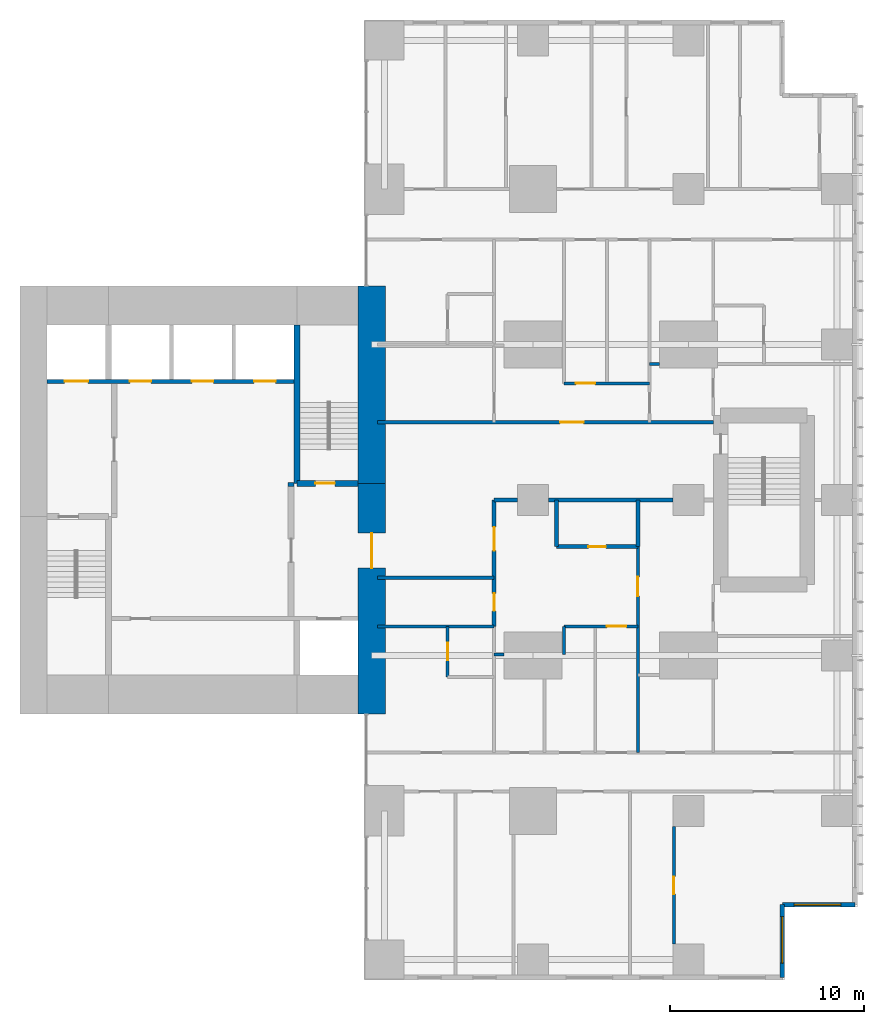
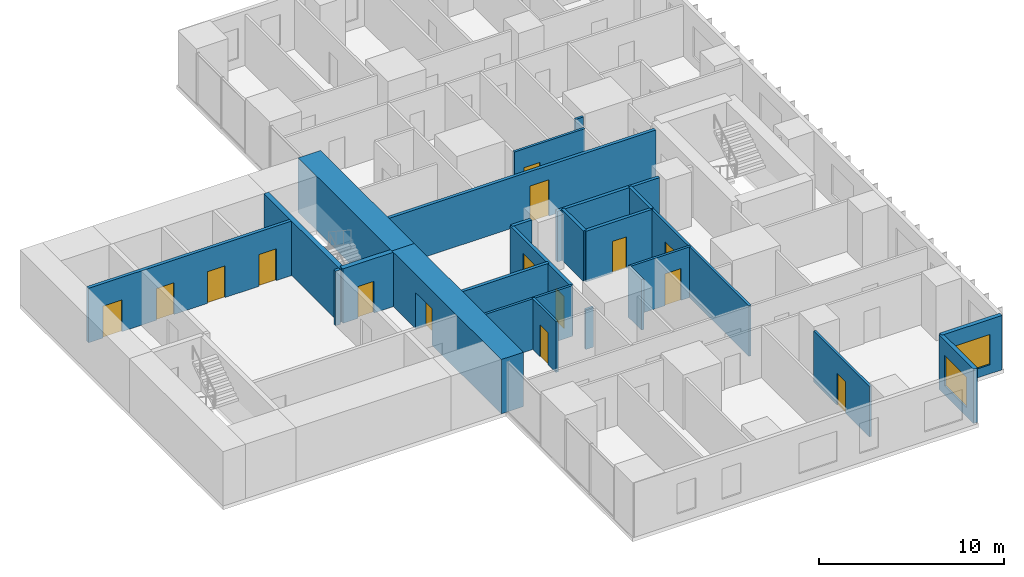
# One storey, part 8 of 12: 25 walls, 15 doors, 2 windows, 17 openings.
"""IFC4 building model written with IfcOpenShell, lengths in metres."""

from ifc_helpers import new_model, si_unit, direction, frame, frame_2d, origin, place, context, subcontext, project, spatial, rectangle, extrude, material, layer, layer_set, type_object, element, fill, save


model = new_model("IFC4")

# Units and contexts
model_context = context("Model", 3, precision=1e-05, world=origin(), true_north=direction((0.0, 1.0)))
body_context = subcontext(model_context, "Body", "Model", "MODEL_VIEW")
ifc_project = project(units=[si_unit("LENGTHUNIT", "METRE"), si_unit("AREAUNIT", "SQUARE_METRE"), si_unit("VOLUMEUNIT", "CUBIC_METRE"), si_unit("PLANEANGLEUNIT", "RADIAN"), si_unit("MASSUNIT", "GRAM", prefix="KILO")], contexts=[model_context])

# Site, building, storey
site_placement = place(None, origin())
site = spatial("IfcSite", under=ifc_project, at=site_placement, CompositionType="ELEMENT")
building_placement = place(site_placement, origin())
building = spatial("IfcBuilding", under=site, at=building_placement, Name="Cleftline Residences", CompositionType="ELEMENT")
storey_placement = place(building_placement, frame((0.0, 0.0, 234.0)))
storey = spatial("IfcBuildingStorey", under=building, at=storey_placement, Name="L61", CompositionType="ELEMENT", Elevation=234.0)

# Wall, opening, door
ifc_material_1 = material(Name="Concrete B70", Category="concrete")
ifc_layer_1 = layer(ifc_material_1, 1.39990234375)
ifc_layer_set_1 = layer_set([ifc_layer_1], Name="CORE WALL 1400")
wall_type_1 = type_object("IfcWallType", Name="CORE WALL 1400", PredefinedType="SHEAR", material=ifc_layer_set_1)
wall_1_placement = place(storey_placement, frame((41.699951171875, 13.0, 0.0), z_axis=(0.0, 0.0, 1.0), x_axis=(0.0, 1.0, 0.0)))
wall_1 = element("IfcWall", 1, at=wall_1_placement, inside=storey, type_object=wall_type_1, Name="Core wall E", PredefinedType="SHEAR", context=body_context, shape_type="SweptSolid", body=[
    extrude(rectangle(XDim=11.85009765625, YDim=1.39990234375, at=frame_2d((5.925048828125, 0.0))), origin(), (0.0, 0.0, 1.0), 3.60009765625),
])
opening_1_placement = place(wall_1_placement, frame((7.5, 0.0, 0.0)))
opening_1 = element("IfcOpeningElement", 2, at=opening_1_placement, cuts=wall_1, Name="Opening D7", PredefinedType="OPENING", context=body_context, shape_type="SweptSolid", body=[
    extrude(rectangle(XDim=1.800048828125, YDim=2.39990234375, at=frame_2d((0.89990234375, 1.199951171875))), frame((0.0, 0.7099609375, 0.0), z_axis=(0.0, -1.0, 0.0), x_axis=(1.0, 0.0, 0.0)), (0.0, 0.0, 1.0), 1.419921875),
])
ifc_material_2 = material(Name="Steel", Category="steel")
door_type_1 = type_object("IfcDoorType", Name="WING DOOR 1800X2400", OperationType="DOUBLE_DOOR_DOUBLE_SWING", PredefinedType="DOOR", material=ifc_material_2)
door_1_placement = place(opening_1_placement, origin())
door_1 = element("IfcDoor", 3, at=door_1_placement, inside=storey, type_object=door_type_1, Name="East wing door", OperationType="DOUBLE_DOOR_DOUBLE_SWING", OverallHeight=2.39990234375, OverallWidth=1.800048828125, PredefinedType="DOOR", context=body_context, shape_type="SweptSolid", body=[
    extrude(rectangle(XDim=1.800048828125, YDim=2.39990234375, at=frame_2d((0.89990234375, 1.199951171875))), frame((0.0, 0.02490234375, 0.0), z_axis=(0.0, -1.0, 0.0), x_axis=(1.0, 0.0, 0.0)), (0.0, 0.0, 1.0), 0.050048828125),
])
fill(opening_1, door_1)

# Walls
wall_2_placement = place(storey_placement, frame((41.699951171875, 24.85009765625, 0.0), z_axis=(0.0, 0.0, 1.0), x_axis=(0.0, 1.0, 0.0)))
element("IfcWall", 4, at=wall_2_placement, inside=storey, type_object=wall_type_1, Name="Core wall E1", PredefinedType="SHEAR", context=body_context, shape_type="SweptSolid", body=[
    extrude(rectangle(XDim=10.14990234375, YDim=1.39990234375, at=frame_2d((5.074951171875, 0.0))), origin(), (0.0, 0.0, 1.0), 3.60009765625),
])
ifc_material_3 = material(Name="Concrete B70", Category="concrete")
ifc_layer_2 = layer(ifc_material_3, 0.300048828125)
ifc_layer_set_2 = layer_set([ifc_layer_2], Name="CORE WALL 300")
wall_type_2 = type_object("IfcWallType", Name="CORE WALL 300", PredefinedType="SHEAR", material=ifc_layer_set_2)
wall_3_placement = place(storey_placement, frame((37.85009765625, 24.85009765625, 0.0), z_axis=(0.0, 0.0, 1.0), x_axis=(0.0, 1.0, 0.0)))
element("IfcWall", 5, at=wall_3_placement, inside=storey, type_object=wall_type_2, Name="Core wall SB-W", PredefinedType="SHEAR", context=body_context, shape_type="SweptSolid", body=[
    extrude(rectangle(XDim=8.14990234375, YDim=0.300048828125, at=frame_2d((4.074951171875, 0.0))), origin(), (0.0, 0.0, 1.0), 3.60009765625),
])

# Wall, opening, door
wall_4_placement = place(storey_placement, frame((37.85009765625, 24.85009765625, 0.0), z_axis=(0.0, 0.0, 1.0), x_axis=(1.0, 0.0, 0.0)))
wall_4 = element("IfcWall", 6, at=wall_4_placement, inside=storey, type_object=wall_type_2, Name="Core wall SB-S", PredefinedType="SHEAR", context=body_context, shape_type="SweptSolid", body=[
    extrude(rectangle(XDim=3.14990234375, YDim=0.300048828125, at=frame_2d((1.574951171875, 0.0))), origin(), (0.0, 0.0, 1.0), 3.60009765625),
])
opening_2_placement = place(wall_4_placement, frame((0.949951171875, 0.0, 0.0)))
opening_2 = element("IfcOpeningElement", 7, at=opening_2_placement, cuts=wall_4, Name="Opening D5", PredefinedType="OPENING", context=body_context, shape_type="SweptSolid", body=[
    extrude(rectangle(XDim=1.0, YDim=2.10009765625, at=frame_2d((0.5, 1.050048828125))), frame((0.0, 0.159912109375, 0.0), z_axis=(0.0, -1.0, 0.0), x_axis=(1.0, 0.0, 0.0)), (0.0, 0.0, 1.0), 0.320068359375),
])
ifc_material_4 = material(Name="Steel", Category="steel")
door_type_2 = type_object("IfcDoorType", Name="STAIR DOOR 1000X2100", OperationType="SINGLE_SWING_LEFT", PredefinedType="DOOR", material=ifc_material_4)
door_2_placement = place(opening_2_placement, origin())
door_2 = element("IfcDoor", 8, at=door_2_placement, inside=storey, type_object=door_type_2, Name="Stair B door", OperationType="SINGLE_SWING_RIGHT", OverallHeight=2.10009765625, OverallWidth=1.0, PredefinedType="DOOR", context=body_context, shape_type="SweptSolid", body=[
    extrude(rectangle(XDim=1.0, YDim=2.10009765625, at=frame_2d((0.5, 1.050048828125))), frame((0.0, 0.02490234375, 0.0), z_axis=(0.0, -1.0, 0.0), x_axis=(1.0, 0.0, 0.0)), (0.0, 0.0, 1.0), 0.050048828125),
])
fill(opening_2, door_2)

# Wall, opening, window
ifc_material_5 = material(Name="Rendered reinforced concrete blockwork", Category="masonry")
ifc_layer_3 = layer(ifc_material_5, 0.25)
ifc_layer_set_3 = layer_set([ifc_layer_3], Name="EXTERNAL WALL 250")
wall_type_3 = type_object("IfcWallType", Name="EXTERNAL WALL 250", PredefinedType="SOLIDWALL", material=ifc_layer_set_3)
wall_5_placement = place(storey_placement, frame((62.824951171875, -0.574951171875, 0.0), z_axis=(0.0, 0.0, 1.0), x_axis=(0.0, 1.0, 0.0)))
wall_5 = element("IfcWall", 9, at=wall_5_placement, inside=storey, type_object=wall_type_3, Name="External wall", PredefinedType="SOLIDWALL", context=body_context, shape_type="SweptSolid", body=[
    extrude(rectangle(XDim=3.75, YDim=0.25, at=frame_2d((1.875, 0.0))), origin(), (0.0, 0.0, 1.0), 3.60009765625),
])
opening_3_placement = place(wall_5_placement, frame((0.737548828125, 0.0, 0.60009765625)))
opening_3 = element("IfcOpeningElement", 10, at=opening_3_placement, cuts=wall_5, Name="Opening W6", PredefinedType="OPENING", context=body_context, shape_type="SweptSolid", body=[
    extrude(rectangle(XDim=2.39990234375, YDim=2.0, at=frame_2d((1.199951171875, 1.0))), frame((0.0, 0.135009765625, 0.0), z_axis=(0.0, -1.0, 0.0), x_axis=(1.0, 0.0, 0.0)), (0.0, 0.0, 1.0), 0.27001953125),
])
ifc_material_6 = material(Name="Aluminium frame, clear double glazing", Category="aluminium")
window_type = type_object("IfcWindowType", Name="WINDOW 2400X2000", PartitioningType="DOUBLE_PANEL_VERTICAL", PredefinedType="WINDOW", material=ifc_material_6)
window_1_placement = place(opening_3_placement, origin())
window_1 = element("IfcWindow", 11, at=window_1_placement, inside=storey, type_object=window_type, Name="Window", OverallHeight=2.0, OverallWidth=2.39990234375, PartitioningType="SINGLE_PANEL", PredefinedType="WINDOW", context=body_context, shape_type="SweptSolid", body=[
    extrude(rectangle(XDim=2.39990234375, YDim=2.0, at=frame_2d((1.199951171875, 1.0))), frame((0.0, 0.030029296875, 0.0), z_axis=(0.0, -1.0, 0.0), x_axis=(1.0, 0.0, 0.0)), (0.0, 0.0, 1.0), 0.06005859375),
])
fill(opening_3, window_1)

wall_6_placement = place(storey_placement, frame((62.824951171875, 3.175048828125, 0.0), z_axis=(0.0, 0.0, 1.0), x_axis=(1.0, 0.0, 0.0)))
wall_6 = element("IfcWall", 12, at=wall_6_placement, inside=storey, type_object=wall_type_3, Name="External wall", PredefinedType="SOLIDWALL", context=body_context, shape_type="SweptSolid", body=[
    extrude(rectangle(XDim=3.75, YDim=0.25, at=frame_2d((1.875, 0.0))), origin(), (0.0, 0.0, 1.0), 3.60009765625),
])
opening_4_placement = place(wall_6_placement, frame((0.612548828125, 0.0, 0.60009765625)))
opening_4 = element("IfcOpeningElement", 13, at=opening_4_placement, cuts=wall_6, Name="Opening W6", PredefinedType="OPENING", context=body_context, shape_type="SweptSolid", body=[
    extrude(rectangle(XDim=2.39990234375, YDim=2.0, at=frame_2d((1.199951171875, 1.0))), frame((0.0, 0.135009765625, 0.0), z_axis=(0.0, -1.0, 0.0), x_axis=(1.0, 0.0, 0.0)), (0.0, 0.0, 1.0), 0.27001953125),
])
window_2_placement = place(opening_4_placement, origin())
window_2 = element("IfcWindow", 14, at=window_2_placement, inside=storey, type_object=window_type, Name="Window", OverallHeight=2.0, OverallWidth=2.39990234375, PartitioningType="SINGLE_PANEL", PredefinedType="WINDOW", context=body_context, shape_type="SweptSolid", body=[
    extrude(rectangle(XDim=2.39990234375, YDim=2.0, at=frame_2d((1.199951171875, 1.0))), frame((0.0, 0.030029296875, 0.0), z_axis=(0.0, -1.0, 0.0), x_axis=(1.0, 0.0, 0.0)), (0.0, 0.0, 1.0), 0.06005859375),
])
fill(opening_4, window_2)

# Wall
ifc_material_7 = material(Name="Concrete blockwork, fire rated", Category="masonry")
ifc_layer_4 = layer(ifc_material_7, 0.199951171875)
ifc_layer_set_4 = layer_set([ifc_layer_4], Name="FIRE WALL 200")
wall_type_4 = type_object("IfcWallType", Name="FIRE WALL 200", PredefinedType="PARTITIONING", material=ifc_layer_set_4)
wall_7_placement = place(storey_placement, frame((42.0, 20.0, 0.0), z_axis=(0.0, 0.0, 1.0), x_axis=(1.0, 0.0, 0.0)))
element("IfcWall", 15, at=wall_7_placement, inside=storey, type_object=wall_type_4, Name="Fire separating wall", PredefinedType="PARTITIONING", context=body_context, shape_type="SweptSolid", body=[
    extrude(rectangle(XDim=6.0, YDim=0.199951171875, at=frame_2d((3.0, 0.0))), origin(), (0.0, 0.0, 1.0), 3.35009765625),
])

# Wall, opening, door
wall_8_placement = place(storey_placement, frame((51.199951171875, 21.60009765625, 0.0), z_axis=(0.0, 0.0, 1.0), x_axis=(1.0, 0.0, 0.0)))
wall_8 = element("IfcWall", 16, at=wall_8_placement, inside=storey, type_object=wall_type_4, Name="Fire separating wall", PredefinedType="PARTITIONING", context=body_context, shape_type="SweptSolid", body=[
    extrude(rectangle(XDim=4.199951171875, YDim=0.199951171875, at=frame_2d((2.10009765625, 0.0))), origin(), (0.0, 0.0, 1.0), 3.35009765625),
])
opening_5_placement = place(wall_8_placement, frame((1.64990234375, 0.0, 0.0)))
opening_5 = element("IfcOpeningElement", 17, at=opening_5_placement, cuts=wall_8, Name="Opening D1F30", PredefinedType="OPENING", context=body_context, shape_type="SweptSolid", body=[
    extrude(rectangle(XDim=0.89990234375, YDim=2.10009765625, at=frame_2d((0.449951171875, 1.050048828125))), frame((0.0, 0.10986328125, 0.0), z_axis=(0.0, -1.0, 0.0), x_axis=(1.0, 0.0, 0.0)), (0.0, 0.0, 1.0), 0.219970703125),
])
ifc_material_8 = material(Name="Timber veneer on solid core", Category="wood")
door_type_3 = type_object("IfcDoorType", Name="DOOR 900X2100 EI 30", OperationType="SINGLE_SWING_LEFT", PredefinedType="DOOR", material=ifc_material_8)
door_3_placement = place(opening_5_placement, origin())
door_3 = element("IfcDoor", 18, at=door_3_placement, inside=storey, type_object=door_type_3, Name="Door to cloakroom wc", OperationType="SINGLE_SWING_LEFT", OverallHeight=2.10009765625, OverallWidth=0.89990234375, PredefinedType="DOOR", context=body_context, shape_type="SweptSolid", body=[
    extrude(rectangle(XDim=0.89990234375, YDim=2.10009765625, at=frame_2d((0.449951171875, 1.050048828125))), frame((0.0, 0.02490234375, 0.0), z_axis=(0.0, -1.0, 0.0), x_axis=(1.0, 0.0, 0.0)), (0.0, 0.0, 1.0), 0.050048828125),
])
fill(opening_5, door_3)

# Walls
wall_9_placement = place(storey_placement, frame((48.0, 24.0, 0.0), z_axis=(0.0, 0.0, 1.0), x_axis=(1.0, 0.0, 0.0)))
element("IfcWall", 19, at=wall_9_placement, inside=storey, type_object=wall_type_4, Name="Fire separating wall", PredefinedType="PARTITIONING", context=body_context, shape_type="SweptSolid", body=[
    extrude(rectangle(XDim=1.199951171875, YDim=0.199951171875, at=frame_2d((0.60009765625, 0.0))), origin(), (0.0, 0.0, 1.0), 3.35009765625),
])
wall_10_placement = place(storey_placement, frame((50.800048828125, 24.0, 0.0), z_axis=(0.0, 0.0, 1.0), x_axis=(1.0, 0.0, 0.0)))
element("IfcWall", 20, at=wall_10_placement, inside=storey, type_object=wall_type_4, Name="Fire separating wall", PredefinedType="PARTITIONING", context=body_context, shape_type="SweptSolid", body=[
    extrude(rectangle(XDim=6.39990234375, YDim=0.199951171875, at=frame_2d((3.199951171875, 0.0))), origin(), (0.0, 0.0, 1.0), 3.35009765625),
])

# Wall, opening, door
wall_11_placement = place(storey_placement, frame((42.0, 28.0, 0.0), z_axis=(0.0, 0.0, 1.0), x_axis=(1.0, 0.0, 0.0)))
wall_11 = element("IfcWall", 21, at=wall_11_placement, inside=storey, type_object=wall_type_4, Name="Fire separating wall", PredefinedType="PARTITIONING", context=body_context, shape_type="SweptSolid", body=[
    extrude(rectangle(XDim=17.27490234375, YDim=0.199951171875, at=frame_2d((8.637451171875, 0.0))), origin(), (0.0, 0.0, 1.0), 3.35009765625),
])
opening_6_placement = place(wall_11_placement, frame((9.39990234375, 0.0, 0.0)))
opening_6 = element("IfcOpeningElement", 22, at=opening_6_placement, cuts=wall_11, Name="Opening D4", PredefinedType="OPENING", context=body_context, shape_type="SweptSolid", body=[
    extrude(rectangle(XDim=1.199951171875, YDim=2.39990234375, at=frame_2d((0.60009765625, 1.199951171875))), frame((0.0, 0.10986328125, 0.0), z_axis=(0.0, -1.0, 0.0), x_axis=(1.0, 0.0, 0.0)), (0.0, 0.0, 1.0), 0.219970703125),
])
ifc_material_9 = material(Name="Timber veneer on solid core", Category="wood")
door_type_4 = type_object("IfcDoorType", Name="APARTMENT ENTRANCE DOOR 1200X2400", OperationType="SINGLE_SWING_RIGHT", PredefinedType="DOOR", material=ifc_material_9)
door_4_placement = place(opening_6_placement, origin())
door_4 = element("IfcDoor", 23, at=door_4_placement, inside=storey, type_object=door_type_4, Name="Door to residence entrance (gallery)", OperationType="SINGLE_SWING_LEFT", OverallHeight=2.39990234375, OverallWidth=1.199951171875, PredefinedType="DOOR", context=body_context, shape_type="SweptSolid", body=[
    extrude(rectangle(XDim=1.199951171875, YDim=2.39990234375, at=frame_2d((0.60009765625, 1.199951171875))), frame((0.0, 0.02490234375, 0.0), z_axis=(0.0, -1.0, 0.0), x_axis=(1.0, 0.0, 0.0)), (0.0, 0.0, 1.0), 0.050048828125),
])
fill(opening_6, door_4)

# Wall, openings, doors
wall_12_placement = place(storey_placement, frame((48.0, 17.5, 0.0), z_axis=(0.0, 0.0, 1.0), x_axis=(0.0, 1.0, 0.0)))
wall_12 = element("IfcWall", 24, at=wall_12_placement, inside=storey, type_object=wall_type_4, Name="Fire separating wall", PredefinedType="PARTITIONING", context=body_context, shape_type="SweptSolid", body=[
    extrude(rectangle(XDim=6.5, YDim=0.199951171875, at=frame_2d((3.25, 0.0))), origin(), (0.0, 0.0, 1.0), 3.35009765625),
])
opening_7_placement = place(wall_12_placement, frame((3.89990234375, 0.0, 0.0)))
opening_7 = element("IfcOpeningElement", 25, at=opening_7_placement, cuts=wall_12, Name="Opening D4", PredefinedType="OPENING", context=body_context, shape_type="SweptSolid", body=[
    extrude(rectangle(XDim=1.199951171875, YDim=2.39990234375, at=frame_2d((0.60009765625, 1.199951171875))), frame((0.0, 0.10986328125, 0.0), z_axis=(0.0, -1.0, 0.0), x_axis=(1.0, 0.0, 0.0)), (0.0, 0.0, 1.0), 0.219970703125),
])
opening_8_placement = place(wall_12_placement, frame((0.800048828125, 0.0, 0.0)))
opening_8 = element("IfcOpeningElement", 26, at=opening_8_placement, cuts=wall_12, Name="Opening D1F30", PredefinedType="OPENING", context=body_context, shape_type="SweptSolid", body=[
    extrude(rectangle(XDim=0.89990234375, YDim=2.10009765625, at=frame_2d((0.449951171875, 1.050048828125))), frame((0.0, 0.10986328125, 0.0), z_axis=(0.0, -1.0, 0.0), x_axis=(1.0, 0.0, 0.0)), (0.0, 0.0, 1.0), 0.219970703125),
])
door_5_placement = place(opening_7_placement, origin())
door_5 = element("IfcDoor", 27, at=door_5_placement, inside=storey, type_object=door_type_4, Name="Door to residence entrance foyer", OperationType="SINGLE_SWING_LEFT", OverallHeight=2.39990234375, OverallWidth=1.199951171875, PredefinedType="DOOR", context=body_context, shape_type="SweptSolid", body=[
    extrude(rectangle(XDim=1.199951171875, YDim=2.39990234375, at=frame_2d((0.60009765625, 1.199951171875))), frame((0.0, 0.02490234375, 0.0), z_axis=(0.0, -1.0, 0.0), x_axis=(1.0, 0.0, 0.0)), (0.0, 0.0, 1.0), 0.050048828125),
])
fill(opening_7, door_5)
door_6_placement = place(opening_8_placement, origin())
door_6 = element("IfcDoor", 28, at=door_6_placement, inside=storey, type_object=door_type_3, Name="Door to utility room", OperationType="SINGLE_SWING_RIGHT", OverallHeight=2.10009765625, OverallWidth=0.89990234375, PredefinedType="DOOR", context=body_context, shape_type="SweptSolid", body=[
    extrude(rectangle(XDim=0.89990234375, YDim=2.10009765625, at=frame_2d((0.449951171875, 1.050048828125))), frame((0.0, 0.02490234375, 0.0), z_axis=(0.0, -1.0, 0.0), x_axis=(1.0, 0.0, 0.0)), (0.0, 0.0, 1.0), 0.050048828125),
])
fill(opening_8, door_6)

# Walls
for number, where, z_axis, x_axis, name in (
    (29, (51.199951171875, 21.60009765625, 0.0), (0.0, 0.0, 1.0), (0.0, 1.0, 0.0), "Fire separating wall"),
    (30, (55.39990234375, 21.60009765625, 0.0), (0.0, 0.0, 1.0), (0.0, 1.0, 0.0), "Fire separating wall"),
):
    element("IfcWall", number, at=place(storey_placement, frame(where, z_axis=z_axis, x_axis=x_axis)), inside=storey, type_object=wall_type_4, Name=name, PredefinedType="PARTITIONING", context=body_context, shape_type="SweptSolid", body=[
        extrude(rectangle(XDim=2.39990234375, YDim=0.199951171875, at=frame_2d((1.199951171875, 0.0))), origin(), (0.0, 0.0, 1.0), 3.35009765625),
    ])
wall_13_placement = place(storey_placement, frame((37.39990234375, 24.800048828125, 0.0), z_axis=(0.0, 0.0, 1.0), x_axis=(1.0, 0.0, 0.0)))
element("IfcWall", 31, at=wall_13_placement, inside=storey, type_object=wall_type_4, Name="Fire separating wall", PredefinedType="PARTITIONING", context=body_context, shape_type="SweptSolid", body=[
    extrude(rectangle(XDim=0.300048828125, YDim=0.199951171875, at=frame_2d((0.14990234375, 0.0))), origin(), (0.0, 0.0, 1.0), 3.60009765625),
])
ifc_material_10 = material(Name="Gypsum board on steel studs", Category="steel")
ifc_layer_5 = layer(ifc_material_10, 0.14990234375)
ifc_layer_set_5 = layer_set([ifc_layer_5], Name="PARTITION 150")
wall_type_5 = type_object("IfcWallType", Name="PARTITION 150", PredefinedType="PARTITIONING", material=ifc_layer_set_5)
wall_14_placement = place(storey_placement, frame((48.0, 16.050048828125, 0.0), z_axis=(0.0, 0.0, 1.0), x_axis=(1.0, 0.0, 0.0)))
element("IfcWall", 32, at=wall_14_placement, inside=storey, type_object=wall_type_5, Name="Partition", PredefinedType="PARTITIONING", context=body_context, shape_type="SweptSolid", body=[
    extrude(rectangle(XDim=0.5, YDim=0.14990234375, at=frame_2d((0.25, 0.0))), origin(), (0.0, 0.0, 1.0), 2.634033203125),
])
wall_15_placement = place(storey_placement, frame((42.0, 17.5, 0.0), z_axis=(0.0, 0.0, 1.0), x_axis=(1.0, 0.0, 0.0)))
element("IfcWall", 33, at=wall_15_placement, inside=storey, type_object=wall_type_5, Name="Partition", PredefinedType="PARTITIONING", context=body_context, shape_type="SweptSolid", body=[
    extrude(rectangle(XDim=6.0, YDim=0.14990234375, at=frame_2d((3.0, 0.0))), origin(), (0.0, 0.0, 1.0), 3.35009765625),
])

# Wall, opening, door
wall_16_placement = place(storey_placement, frame((51.60009765625, 17.5, 0.0), z_axis=(0.0, 0.0, 1.0), x_axis=(1.0, 0.0, 0.0)))
wall_16 = element("IfcWall", 34, at=wall_16_placement, inside=storey, type_object=wall_type_5, Name="Partition", PredefinedType="PARTITIONING", context=body_context, shape_type="SweptSolid", body=[
    extrude(rectangle(XDim=3.7998046875, YDim=0.14990234375, at=frame_2d((1.89990234375, 0.0))), origin(), (0.0, 0.0, 1.0), 3.35009765625),
])
opening_9_placement = place(wall_16_placement, frame((2.199951171875, 0.0, 0.0)))
opening_9 = element("IfcOpeningElement", 35, at=opening_9_placement, cuts=wall_16, Name="Opening D2", PredefinedType="OPENING", context=body_context, shape_type="SweptSolid", body=[
    extrude(rectangle(XDim=1.0, YDim=2.10009765625, at=frame_2d((0.5, 1.050048828125))), frame((0.0, 0.0849609375, 0.0), z_axis=(0.0, -1.0, 0.0), x_axis=(1.0, 0.0, 0.0)), (0.0, 0.0, 1.0), 0.169921875),
])
ifc_material_11 = material(Name="Timber veneer on solid core", Category="wood")
door_type_5 = type_object("IfcDoorType", Name="DOOR 1000X2100", OperationType="SINGLE_SWING_LEFT", PredefinedType="DOOR", material=ifc_material_11)
door_7_placement = place(opening_9_placement, origin())
door_7 = element("IfcDoor", 36, at=door_7_placement, inside=storey, type_object=door_type_5, Name="Door to residence passage", OperationType="SINGLE_SWING_LEFT", OverallHeight=2.10009765625, OverallWidth=1.0, PredefinedType="DOOR", context=body_context, shape_type="SweptSolid", body=[
    extrude(rectangle(XDim=1.0, YDim=2.10009765625, at=frame_2d((0.5, 1.050048828125))), frame((0.0, 0.02490234375, 0.0), z_axis=(0.0, -1.0, 0.0), x_axis=(1.0, 0.0, 0.0)), (0.0, 0.0, 1.0), 0.050048828125),
])
fill(opening_9, door_7)

wall_17_placement = place(storey_placement, frame((51.60009765625, 30.0, 0.0), z_axis=(0.0, 0.0, 1.0), x_axis=(1.0, 0.0, 0.0)))
wall_17 = element("IfcWall", 37, at=wall_17_placement, inside=storey, type_object=wall_type_5, Name="Partition", PredefinedType="PARTITIONING", context=body_context, shape_type="SweptSolid", body=[
    extrude(rectangle(XDim=4.39990234375, YDim=0.14990234375, at=frame_2d((2.199951171875, 0.0))), origin(), (0.0, 0.0, 1.0), 3.35009765625),
])
opening_10_placement = place(wall_17_placement, frame((0.60009765625, 0.0, 0.0)))
opening_10 = element("IfcOpeningElement", 38, at=opening_10_placement, cuts=wall_17, Name="Opening D2", PredefinedType="OPENING", context=body_context, shape_type="SweptSolid", body=[
    extrude(rectangle(XDim=1.0, YDim=2.10009765625, at=frame_2d((0.5, 1.050048828125))), frame((0.0, 0.0849609375, 0.0), z_axis=(0.0, -1.0, 0.0), x_axis=(1.0, 0.0, 0.0)), (0.0, 0.0, 1.0), 0.169921875),
])
door_8_placement = place(opening_10_placement, origin())
door_8 = element("IfcDoor", 39, at=door_8_placement, inside=storey, type_object=door_type_5, Name="Door to residence passage", OperationType="SINGLE_SWING_RIGHT", OverallHeight=2.10009765625, OverallWidth=1.0, PredefinedType="DOOR", context=body_context, shape_type="SweptSolid", body=[
    extrude(rectangle(XDim=1.0, YDim=2.10009765625, at=frame_2d((0.5, 1.050048828125))), frame((0.0, 0.02490234375, 0.0), z_axis=(0.0, -1.0, 0.0), x_axis=(1.0, 0.0, 0.0)), (0.0, 0.0, 1.0), 0.050048828125),
])
fill(opening_10, door_8)

# Wall
wall_18_placement = place(storey_placement, frame((56.0, 31.0, 0.0), z_axis=(0.0, 0.0, 1.0), x_axis=(1.0, 0.0, 0.0)))
element("IfcWall", 40, at=wall_18_placement, inside=storey, type_object=wall_type_5, Name="Partition", PredefinedType="PARTITIONING", context=body_context, shape_type="SweptSolid", body=[
    extrude(rectangle(XDim=0.5, YDim=0.14990234375, at=frame_2d((0.25, 0.0))), origin(), (0.0, 0.0, 1.0), 3.35009765625),
])

# Wall, opening, door
wall_19_placement = place(storey_placement, frame((45.60009765625, 14.89990234375, 0.0), z_axis=(0.0, 0.0, 1.0), x_axis=(0.0, 1.0, 0.0)))
wall_19 = element("IfcWall", 41, at=wall_19_placement, inside=storey, type_object=wall_type_5, Name="Partition", PredefinedType="PARTITIONING", context=body_context, shape_type="SweptSolid", body=[
    extrude(rectangle(XDim=2.60009765625, YDim=0.14990234375, at=frame_2d((1.300048828125, 0.0))), origin(), (0.0, 0.0, 1.0), 3.35009765625),
])
opening_11_placement = place(wall_19_placement, frame((0.85009765625, 0.0, 0.0)))
opening_11 = element("IfcOpeningElement", 42, at=opening_11_placement, cuts=wall_19, Name="Opening D1", PredefinedType="OPENING", context=body_context, shape_type="SweptSolid", body=[
    extrude(rectangle(XDim=0.89990234375, YDim=2.10009765625, at=frame_2d((0.449951171875, 1.050048828125))), frame((0.0, 0.0849609375, 0.0), z_axis=(0.0, -1.0, 0.0), x_axis=(1.0, 0.0, 0.0)), (0.0, 0.0, 1.0), 0.169921875),
])
ifc_material_12 = material(Name="Timber veneer on solid core", Category="wood")
door_type_6 = type_object("IfcDoorType", Name="DOOR 900X2100", OperationType="SINGLE_SWING_LEFT", PredefinedType="DOOR", material=ifc_material_12)
door_9_placement = place(opening_11_placement, origin())
door_9 = element("IfcDoor", 43, at=door_9_placement, inside=storey, type_object=door_type_6, Name="Door to staff shower room", OperationType="SINGLE_SWING_LEFT", OverallHeight=2.10009765625, OverallWidth=0.89990234375, PredefinedType="DOOR", context=body_context, shape_type="SweptSolid", body=[
    extrude(rectangle(XDim=0.89990234375, YDim=2.10009765625, at=frame_2d((0.449951171875, 1.050048828125))), frame((0.0, 0.02490234375, 0.0), z_axis=(0.0, -1.0, 0.0), x_axis=(1.0, 0.0, 0.0)), (0.0, 0.0, 1.0), 0.050048828125),
])
fill(opening_11, door_9)

# Wall
wall_20_placement = place(storey_placement, frame((51.60009765625, 16.050048828125, 0.0), z_axis=(0.0, 0.0, 1.0), x_axis=(0.0, 1.0, 0.0)))
element("IfcWall", 44, at=wall_20_placement, inside=storey, type_object=wall_type_5, Name="Partition", PredefinedType="PARTITIONING", context=body_context, shape_type="SweptSolid", body=[
    extrude(rectangle(XDim=1.449951171875, YDim=0.14990234375, at=frame_2d((0.72509765625, 0.0))), origin(), (0.0, 0.0, 1.0), 3.35009765625),
])

# Wall, opening, door
wall_21_placement = place(storey_placement, frame((55.39990234375, 11.0, 0.0), z_axis=(0.0, 0.0, 1.0), x_axis=(0.0, 1.0, 0.0)))
wall_21 = element("IfcWall", 45, at=wall_21_placement, inside=storey, type_object=wall_type_5, Name="Partition", PredefinedType="PARTITIONING", context=body_context, shape_type="SweptSolid", body=[
    extrude(rectangle(XDim=10.60009765625, YDim=0.14990234375, at=frame_2d((5.300048828125, 0.0))), origin(), (0.0, 0.0, 1.0), 3.35009765625),
])
opening_12_placement = place(wall_21_placement, frame((8.050048828125, 0.0, 0.0)))
opening_12 = element("IfcOpeningElement", 46, at=opening_12_placement, cuts=wall_21, Name="Opening D2F30", PredefinedType="OPENING", context=body_context, shape_type="SweptSolid", body=[
    extrude(rectangle(XDim=1.0, YDim=2.10009765625, at=frame_2d((0.5, 1.050048828125))), frame((0.0, 0.0849609375, 0.0), z_axis=(0.0, -1.0, 0.0), x_axis=(1.0, 0.0, 0.0)), (0.0, 0.0, 1.0), 0.169921875),
])
ifc_material_13 = material(Name="Timber veneer on solid core", Category="wood")
door_type_7 = type_object("IfcDoorType", Name="DOOR 1000X2100 EI 30", OperationType="SINGLE_SWING_LEFT", PredefinedType="DOOR", material=ifc_material_13)
door_10_placement = place(opening_12_placement, origin())
door_10 = element("IfcDoor", 47, at=door_10_placement, inside=storey, type_object=door_type_7, Name="Door to residence lobby", OperationType="SINGLE_SWING_LEFT", OverallHeight=2.10009765625, OverallWidth=1.0, PredefinedType="DOOR", context=body_context, shape_type="SweptSolid", body=[
    extrude(rectangle(XDim=1.0, YDim=2.10009765625, at=frame_2d((0.5, 1.050048828125))), frame((0.0, 0.02490234375, 0.0), z_axis=(0.0, -1.0, 0.0), x_axis=(1.0, 0.0, 0.0)), (0.0, 0.0, 1.0), 0.050048828125),
])
fill(opening_12, door_10)

wall_22_placement = place(storey_placement, frame((57.25, 1.14990234375, 0.0), z_axis=(0.0, 0.0, 1.0), x_axis=(0.0, 1.0, 0.0)))
wall_22 = element("IfcWall", 48, at=wall_22_placement, inside=storey, type_object=wall_type_5, Name="Partition", PredefinedType="PARTITIONING", context=body_context, shape_type="SweptSolid", body=[
    extrude(rectangle(XDim=6.050048828125, YDim=0.14990234375, at=frame_2d((3.02490234375, 0.0))), origin(), (0.0, 0.0, 1.0), 3.35009765625),
])
opening_13_placement = place(wall_22_placement, frame((2.574951171875, 0.0, 0.0)))
opening_13 = element("IfcOpeningElement", 49, at=opening_13_placement, cuts=wall_22, Name="Opening D1", PredefinedType="OPENING", context=body_context, shape_type="SweptSolid", body=[
    extrude(rectangle(XDim=0.89990234375, YDim=2.10009765625, at=frame_2d((0.449951171875, 1.050048828125))), frame((0.0, 0.0849609375, 0.0), z_axis=(0.0, -1.0, 0.0), x_axis=(1.0, 0.0, 0.0)), (0.0, 0.0, 1.0), 0.169921875),
])
door_11_placement = place(opening_13_placement, origin())
door_11 = element("IfcDoor", 50, at=door_11_placement, inside=storey, type_object=door_type_6, Name="Door to store room", OperationType="SINGLE_SWING_LEFT", OverallHeight=2.10009765625, OverallWidth=0.89990234375, PredefinedType="DOOR", context=body_context, shape_type="SweptSolid", body=[
    extrude(rectangle(XDim=0.89990234375, YDim=2.10009765625, at=frame_2d((0.449951171875, 1.050048828125))), frame((0.0, 0.02490234375, 0.0), z_axis=(0.0, -1.0, 0.0), x_axis=(1.0, 0.0, 0.0)), (0.0, 0.0, 1.0), 0.050048828125),
])
fill(opening_13, door_11)

# Wall, openings, doors
ifc_material_14 = material(Name="Concrete blockwork, fire rated", Category="masonry")
ifc_layer_6 = layer(ifc_material_14, 0.199951171875)
ifc_layer_set_6 = layer_set([ifc_layer_6], Name="SHAFT WALL 200")
wall_type_6 = type_object("IfcWallType", Name="SHAFT WALL 200", PredefinedType="PARTITIONING", material=ifc_layer_set_6)
wall_23_placement = place(storey_placement, frame((25.0, 30.10009765625, 0.0), z_axis=(0.0, 0.0, 1.0), x_axis=(1.0, 0.0, 0.0)))
wall_23 = element("IfcWall", 51, at=wall_23_placement, inside=storey, type_object=wall_type_6, Name="Lift shaft wall", PredefinedType="PARTITIONING", context=body_context, shape_type="SweptSolid", body=[
    extrude(rectangle(XDim=12.699951171875, YDim=0.199951171875, at=frame_2d((6.35009765625, 0.0))), origin(), (0.0, 0.0, 1.0), 3.60009765625),
])
opening_14_placement = place(wall_23_placement, frame((4.25, 0.0, 0.0)))
opening_14 = element("IfcOpeningElement", 52, at=opening_14_placement, cuts=wall_23, Name="Opening LD1", PredefinedType="OPENING", context=body_context, shape_type="SweptSolid", body=[
    extrude(rectangle(XDim=1.10009765625, YDim=2.10009765625, at=frame_2d((0.550048828125, 1.050048828125))), frame((0.0, 0.10986328125, 0.0), z_axis=(0.0, -1.0, 0.0), x_axis=(1.0, 0.0, 0.0)), (0.0, 0.0, 1.0), 0.219970703125),
])
opening_15_placement = place(wall_23_placement, frame((7.449951171875, 0.0, 0.0)))
opening_15 = element("IfcOpeningElement", 53, at=opening_15_placement, cuts=wall_23, Name="Opening LD1", PredefinedType="OPENING", context=body_context, shape_type="SweptSolid", body=[
    extrude(rectangle(XDim=1.10009765625, YDim=2.10009765625, at=frame_2d((0.550048828125, 1.050048828125))), frame((0.0, 0.10986328125, 0.0), z_axis=(0.0, -1.0, 0.0), x_axis=(1.0, 0.0, 0.0)), (0.0, 0.0, 1.0), 0.219970703125),
])
opening_16_placement = place(wall_23_placement, frame((10.64990234375, 0.0, 0.0)))
opening_16 = element("IfcOpeningElement", 54, at=opening_16_placement, cuts=wall_23, Name="Opening LD1", PredefinedType="OPENING", context=body_context, shape_type="SweptSolid", body=[
    extrude(rectangle(XDim=1.10009765625, YDim=2.10009765625, at=frame_2d((0.550048828125, 1.050048828125))), frame((0.0, 0.10986328125, 0.0), z_axis=(0.0, -1.0, 0.0), x_axis=(1.0, 0.0, 0.0)), (0.0, 0.0, 1.0), 0.219970703125),
])
opening_17_placement = place(wall_23_placement, frame((0.89990234375, 0.0, 0.0)))
opening_17 = element("IfcOpeningElement", 55, at=opening_17_placement, cuts=wall_23, Name="Opening LD2", PredefinedType="OPENING", context=body_context, shape_type="SweptSolid", body=[
    extrude(rectangle(XDim=1.199951171875, YDim=2.10009765625, at=frame_2d((0.60009765625, 1.050048828125))), frame((0.0, 0.10986328125, 0.0), z_axis=(0.0, -1.0, 0.0), x_axis=(1.0, 0.0, 0.0)), (0.0, 0.0, 1.0), 0.219970703125),
])
ifc_material_15 = material(Name="Steel", Category="steel")
door_type_8 = type_object("IfcDoorType", Name="FIREFIGHTING LIFT LANDING DOOR 1200X2100", OperationType="SLIDING_TO_LEFT", PredefinedType="DOOR", material=ifc_material_15)
door_12_placement = place(opening_17_placement, origin())
door_12 = element("IfcDoor", 56, at=door_12_placement, inside=storey, type_object=door_type_8, Name="Lift FL1 landing door", OperationType="SLIDING_TO_LEFT", OverallHeight=2.10009765625, OverallWidth=1.199951171875, PredefinedType="DOOR", context=body_context, shape_type="SweptSolid", body=[
    extrude(rectangle(XDim=1.199951171875, YDim=2.10009765625, at=frame_2d((0.60009765625, 1.050048828125))), frame((0.0, 0.02490234375, 0.0), z_axis=(0.0, -1.0, 0.0), x_axis=(1.0, 0.0, 0.0)), (0.0, 0.0, 1.0), 0.050048828125),
])
fill(opening_17, door_12)
ifc_material_16 = material(Name="Steel", Category="steel")
door_type_9 = type_object("IfcDoorType", Name="LIFT LANDING DOOR 1100X2100", OperationType="SLIDING_TO_LEFT", PredefinedType="DOOR", material=ifc_material_16)
door_13_placement = place(opening_14_placement, origin())
door_13 = element("IfcDoor", 57, at=door_13_placement, inside=storey, type_object=door_type_9, Name="Lift P4 landing door", OperationType="SLIDING_TO_LEFT", OverallHeight=2.10009765625, OverallWidth=1.10009765625, PredefinedType="DOOR", context=body_context, shape_type="SweptSolid", body=[
    extrude(rectangle(XDim=1.10009765625, YDim=2.10009765625, at=frame_2d((0.550048828125, 1.050048828125))), frame((0.0, 0.02490234375, 0.0), z_axis=(0.0, -1.0, 0.0), x_axis=(1.0, 0.0, 0.0)), (0.0, 0.0, 1.0), 0.050048828125),
])
fill(opening_14, door_13)
door_14_placement = place(opening_15_placement, origin())
door_14 = element("IfcDoor", 58, at=door_14_placement, inside=storey, type_object=door_type_9, Name="Lift P5 landing door", OperationType="SLIDING_TO_LEFT", OverallHeight=2.10009765625, OverallWidth=1.10009765625, PredefinedType="DOOR", context=body_context, shape_type="SweptSolid", body=[
    extrude(rectangle(XDim=1.10009765625, YDim=2.10009765625, at=frame_2d((0.550048828125, 1.050048828125))), frame((0.0, 0.02490234375, 0.0), z_axis=(0.0, -1.0, 0.0), x_axis=(1.0, 0.0, 0.0)), (0.0, 0.0, 1.0), 0.050048828125),
])
fill(opening_15, door_14)
door_15_placement = place(opening_16_placement, origin())
door_15 = element("IfcDoor", 59, at=door_15_placement, inside=storey, type_object=door_type_9, Name="Lift P6 landing door", OperationType="SLIDING_TO_LEFT", OverallHeight=2.10009765625, OverallWidth=1.10009765625, PredefinedType="DOOR", context=body_context, shape_type="SweptSolid", body=[
    extrude(rectangle(XDim=1.10009765625, YDim=2.10009765625, at=frame_2d((0.550048828125, 1.050048828125))), frame((0.0, 0.02490234375, 0.0), z_axis=(0.0, -1.0, 0.0), x_axis=(1.0, 0.0, 0.0)), (0.0, 0.0, 1.0), 0.050048828125),
])
fill(opening_16, door_15)

save(model, "model.ifc")
